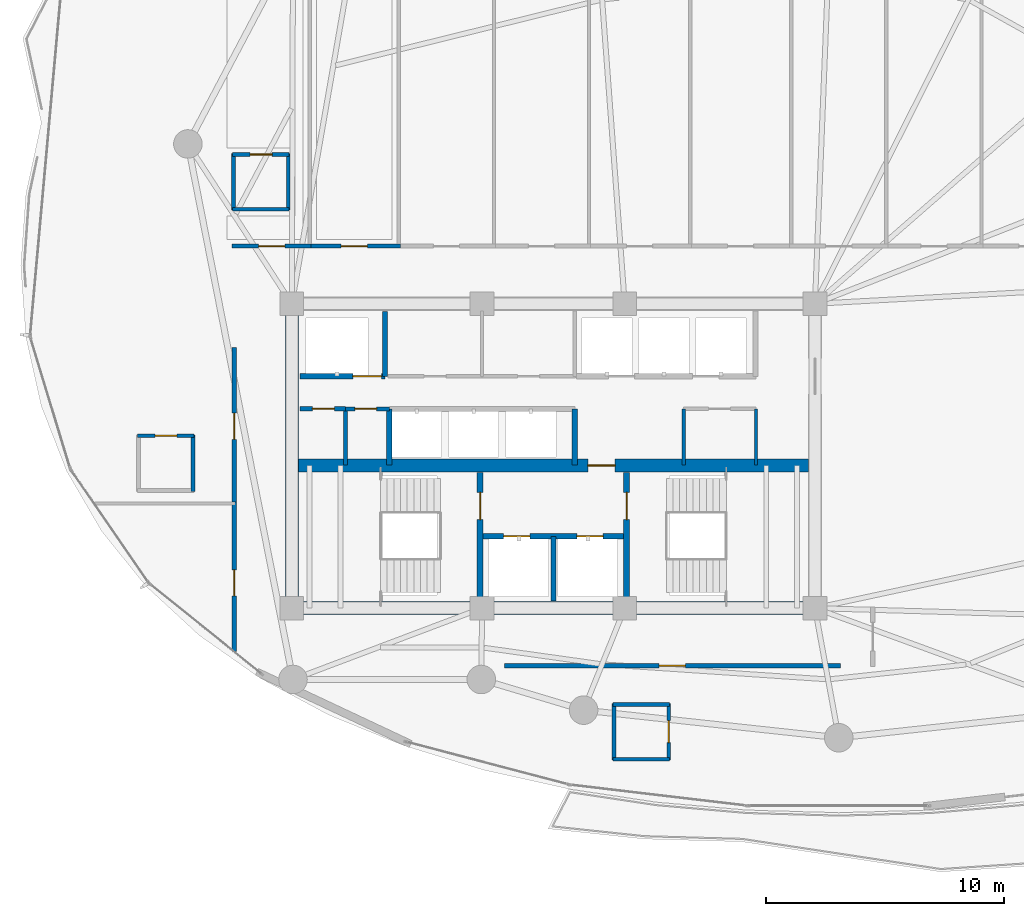
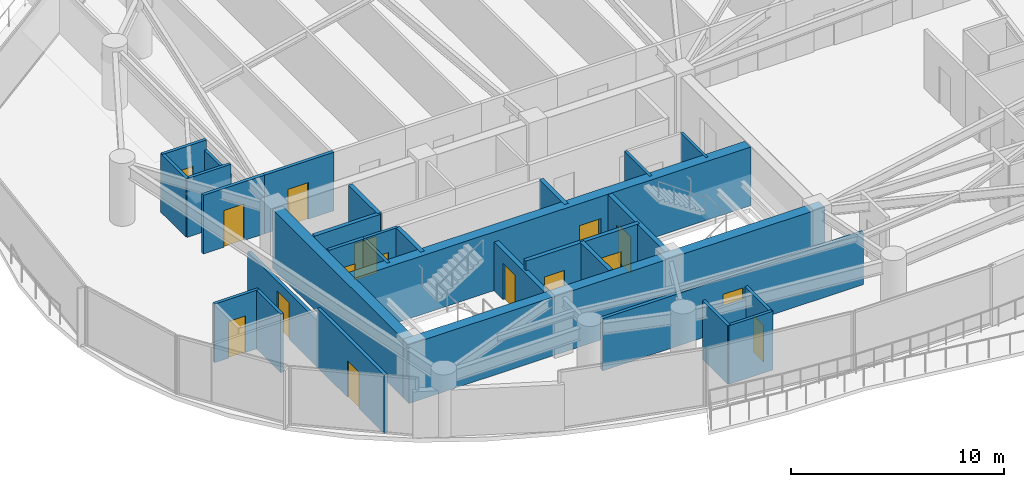
# One storey, part 26 of 33: 31 walls, 16 doors, 16 openings.
"""IFC4 building model written with IfcOpenShell, lengths in metres."""

from ifc_helpers import new_model, si_unit, direction, frame, frame_2d, origin, place, context, subcontext, project, spatial, rectangle, extrude, material, layer, layer_set, type_object, element, fill, save


model = new_model("IFC4")

# Units and contexts
model_context = context("Model", 3, precision=1e-05, world=origin(), true_north=direction((0.0, 1.0)))
body_context = subcontext(model_context, "Body", "Model", "MODEL_VIEW")
ifc_project = project(units=[si_unit("LENGTHUNIT", "METRE"), si_unit("AREAUNIT", "SQUARE_METRE"), si_unit("VOLUMEUNIT", "CUBIC_METRE"), si_unit("PLANEANGLEUNIT", "RADIAN"), si_unit("MASSUNIT", "GRAM", prefix="KILO")], contexts=[model_context])

# Site, building, storey
site_placement = place(None, origin())
site = spatial("IfcSite", under=ifc_project, at=site_placement, CompositionType="ELEMENT")
building_placement = place(site_placement, origin())
building = spatial("IfcBuilding", under=site, at=building_placement, Name="Kazevale Care Tower and Concert Hall", CompositionType="ELEMENT")
storey_placement = place(building_placement, frame((0.0, 0.0, 145.800048828125)))
storey = spatial("IfcBuildingStorey", under=building, at=storey_placement, Name="L38", CompositionType="ELEMENT", Elevation=145.800048828125)

# Walls
ifc_material_1 = material(Name="Acoustic Gypsum on Steel Stud", Category="steel")
ifc_layer_1 = layer(ifc_material_1, 0.139892578125)
ifc_layer_set_1 = layer_set([ifc_layer_1], Name="Acoustic Gypsum on Steel Stud")
wall_type_1 = type_object("IfcWallType", Name="Acoustic Care & Suite Partition 140", PredefinedType="PARTITIONING", material=ifc_layer_set_1)
for number, where, z_axis, x_axis, name in (
    (1, (38.47998046875, 29.6201171875, 0.0), (0.0, 0.0, 1.0), (0.0, 1.0, 0.0), "wall:L38:kb_ew"),
    (2, (41.52001953125, 29.6201171875, 0.0), (0.0, 0.0, 1.0), (0.0, 1.0, 0.0), "wall:L38:kb_ee"),
):
    element("IfcWall", number, at=place(storey_placement, frame(where, z_axis=z_axis, x_axis=x_axis)), inside=storey, type_object=wall_type_1, Name=name, PredefinedType="PARTITIONING", context=body_context, shape_type="SweptSolid", body=[
        extrude(rectangle(XDim=2.35986328125, YDim=0.139892578125, at=frame_2d((1.179931640625, 0.0))), origin(), (0.0, 0.0, 1.0), 3.35986328125),
    ])
ifc_material_2 = material(Name="Concrete C60", Category="concrete")
ifc_layer_2 = layer(ifc_material_2, 0.550048828125)
ifc_layer_set_2 = layer_set([ifc_layer_2], Name="Concrete C60")
wall_type_2 = type_object("IfcWallType", Name="Core Shear Wall 550 C60", PredefinedType="SHEAR", material=ifc_layer_set_2)
wall_1_placement = place(storey_placement, frame((21.72509765625, 23.60009765625, 0.0), z_axis=(0.0, 0.0, 1.0), x_axis=(1.0, 0.0, 0.0)))
element("IfcWall", 3, at=wall_1_placement, inside=storey, type_object=wall_type_2, Name="wall:L38:core:S", PredefinedType="SHEAR", context=body_context, shape_type="SweptSolid", body=[
    extrude(rectangle(XDim=22.5498046875, YDim=0.550048828125, at=frame_2d((11.27490234375, 0.0))), origin(), (0.0, 0.0, 1.0), 3.35986328125),
])
wall_2_placement = place(storey_placement, frame((22.0, 23.875, 0.0), z_axis=(0.0, 0.0, 1.0), x_axis=(0.0, 1.0, 0.0)))
element("IfcWall", 4, at=wall_2_placement, inside=storey, type_object=wall_type_2, Name="wall:L38:core:W", PredefinedType="SHEAR", context=body_context, shape_type="SweptSolid", body=[
    extrude(rectangle(XDim=12.25, YDim=0.550048828125, at=frame_2d((6.125, 0.0))), origin(), (0.0, 0.0, 1.0), 3.35986328125),
])

# Wall, opening, door
wall_3_placement = place(storey_placement, frame((22.27490234375, 29.60009765625, 0.0), z_axis=(0.0, 0.0, 1.0), x_axis=(1.0, 0.0, 0.0)))
wall_3 = element("IfcWall", 5, at=wall_3_placement, inside=storey, type_object=wall_type_2, Name="wall:L38:core:M", PredefinedType="SHEAR", context=body_context, shape_type="SweptSolid", body=[
    extrude(rectangle(XDim=21.4501953125, YDim=0.550048828125, at=frame_2d((10.72509765625, 0.0))), origin(), (0.0, 0.0, 1.0), 3.35986328125),
])
opening_1_placement = place(wall_3_placement, frame((12.175048828125, 0.0, 0.0)))
opening_1 = element("IfcOpeningElement", 6, at=opening_1_placement, cuts=wall_3, Name="Opening FD-90", PredefinedType="OPENING", context=body_context, shape_type="SweptSolid", body=[
    extrude(rectangle(XDim=1.14990234375, YDim=2.10009765625, at=frame_2d((0.574951171875, 1.050048828125))), frame((0.0, 0.284912109375, 0.0), z_axis=(0.0, -1.0, 0.0), x_axis=(1.0, 0.0, 0.0)), (0.0, 0.0, 1.0), 0.570068359375),
])
ifc_material_3 = material(Name="Steel ASTM A572 Gr 50", Category="steel")
door_type_1 = type_object("IfcDoorType", Name="Pressurized Stair & Lobby Fire Door 1150x2100", OperationType="NOTDEFINED", PredefinedType="DOOR", material=ifc_material_3)
door_1_placement = place(opening_1_placement, origin())
door_1 = element("IfcDoor", 7, at=door_1_placement, inside=storey, type_object=door_type_1, Name="door:L38:ff_to_pax", OperationType="SINGLE_SWING_LEFT", OverallHeight=2.10009765625, OverallWidth=1.14990234375, PredefinedType="DOOR", context=body_context, shape_type="SweptSolid", body=[
    extrude(rectangle(XDim=1.14990234375, YDim=2.10009765625, at=frame_2d((0.574951171875, 1.050048828125))), frame((0.0, 0.02490234375, 0.0), z_axis=(0.0, -1.0, 0.0), x_axis=(1.0, 0.0, 0.0)), (0.0, 0.0, 1.0), 0.050048828125),
])
fill(opening_1, door_1)

# Wall, openings, doors
ifc_material_4 = material(Name="Concrete C40", Category="concrete")
ifc_layer_3 = layer(ifc_material_4, 0.219970703125)
ifc_layer_set_3 = layer_set([ifc_layer_3], Name="Concrete C40")
wall_type_3 = type_object("IfcWallType", Name="Elevator Hoistway Shaft Wall 220", PredefinedType="SOLIDWALL", material=ifc_layer_set_3)
wall_4_placement = place(storey_placement, frame((29.919921875, 26.6201171875, 0.0), z_axis=(0.0, 0.0, 1.0), x_axis=(1.0, 0.0, 0.0)))
wall_4 = element("IfcWall", 8, at=wall_4_placement, inside=storey, type_object=wall_type_3, Name="wall:L38:c_ffl_n", PredefinedType="SOLIDWALL", context=body_context, shape_type="SweptSolid", body=[
    extrude(rectangle(XDim=6.16015625, YDim=0.219970703125, at=frame_2d((3.080078125, 0.0))), origin(), (0.0, 0.0, 1.0), 3.35986328125),
])
opening_2_placement = place(wall_4_placement, frame((0.989990234375, 0.0, 0.0)))
opening_2 = element("IfcOpeningElement", 9, at=opening_2_placement, cuts=wall_4, Name="Opening LD-FF", PredefinedType="OPENING", context=body_context, shape_type="SweptSolid", body=[
    extrude(rectangle(XDim=1.10009765625, YDim=2.10009765625, at=frame_2d((0.550048828125, 1.050048828125))), frame((0.0, 0.119873046875, 0.0), z_axis=(0.0, -1.0, 0.0), x_axis=(1.0, 0.0, 0.0)), (0.0, 0.0, 1.0), 0.239990234375),
])
opening_3_placement = place(wall_4_placement, frame((4.070068359375, 0.0, 0.0)))
opening_3 = element("IfcOpeningElement", 10, at=opening_3_placement, cuts=wall_4, Name="Opening LD-FF", PredefinedType="OPENING", context=body_context, shape_type="SweptSolid", body=[
    extrude(rectangle(XDim=1.10009765625, YDim=2.10009765625, at=frame_2d((0.550048828125, 1.050048828125))), frame((0.0, 0.119873046875, 0.0), z_axis=(0.0, -1.0, 0.0), x_axis=(1.0, 0.0, 0.0)), (0.0, 0.0, 1.0), 0.239990234375),
])
ifc_material_5 = material(Name="Stainless Steel 316", Category="steel")
door_type_2 = type_object("IfcDoorType", Name="Emergency Lift Sliding Landing Door 1100x2100", OperationType="NOTDEFINED", PredefinedType="DOOR", material=ifc_material_5)
door_2_placement = place(opening_2_placement, origin())
door_2 = element("IfcDoor", 11, at=door_2_placement, inside=storey, type_object=door_type_2, Name="door:L38:ld_ffl1", OperationType="SLIDING_TO_LEFT", OverallHeight=2.10009765625, OverallWidth=1.10009765625, PredefinedType="DOOR", context=body_context, shape_type="SweptSolid", body=[
    extrude(rectangle(XDim=1.10009765625, YDim=2.10009765625, at=frame_2d((0.550048828125, 1.050048828125))), frame((0.0, 0.02490234375, 0.0), z_axis=(0.0, -1.0, 0.0), x_axis=(1.0, 0.0, 0.0)), (0.0, 0.0, 1.0), 0.050048828125),
])
fill(opening_2, door_2)
door_3_placement = place(opening_3_placement, origin())
door_3 = element("IfcDoor", 12, at=door_3_placement, inside=storey, type_object=door_type_2, Name="door:L38:ld_ffl2", OperationType="SLIDING_TO_RIGHT", OverallHeight=2.10009765625, OverallWidth=1.10009765625, PredefinedType="DOOR", context=body_context, shape_type="SweptSolid", body=[
    extrude(rectangle(XDim=1.10009765625, YDim=2.10009765625, at=frame_2d((0.550048828125, 1.050048828125))), frame((0.0, 0.02490234375, 0.0), z_axis=(0.0, -1.0, 0.0), x_axis=(1.0, 0.0, 0.0)), (0.0, 0.0, 1.0), 0.050048828125),
])
fill(opening_3, door_3)

# Walls
wall_5_placement = place(storey_placement, frame((33.0, 23.89990234375, 0.0), z_axis=(0.0, 0.0, 1.0), x_axis=(0.0, 1.0, 0.0)))
element("IfcWall", 13, at=wall_5_placement, inside=storey, type_object=wall_type_3, Name="wall:L38:c_ffl_m", PredefinedType="SOLIDWALL", context=body_context, shape_type="SweptSolid", body=[
    extrude(rectangle(XDim=2.72021484375, YDim=0.219970703125, at=frame_2d((1.360107421875, 0.0))), origin(), (0.0, 0.0, 1.0), 3.35986328125),
])
wall_6_placement = place(storey_placement, frame((25.919921875, 33.35009765625, 0.0), z_axis=(0.0, 0.0, 1.0), x_axis=(0.0, 1.0, 0.0)))
element("IfcWall", 14, at=wall_6_placement, inside=storey, type_object=wall_type_3, Name="wall:L38:c_svl_e", PredefinedType="SOLIDWALL", context=body_context, shape_type="SweptSolid", body=[
    extrude(rectangle(XDim=2.72998046875, YDim=0.219970703125, at=frame_2d((1.364990234375, 0.0))), origin(), (0.0, 0.0, 1.0), 3.35986328125),
])

# Wall, opening, door
wall_7_placement = place(storey_placement, frame((22.35009765625, 33.35009765625, 0.0), z_axis=(0.0, 0.0, 1.0), x_axis=(1.0, 0.0, 0.0)))
wall_7 = element("IfcWall", 15, at=wall_7_placement, inside=storey, type_object=wall_type_3, Name="wall:L38:c_svl_s", PredefinedType="SOLIDWALL", context=body_context, shape_type="SweptSolid", body=[
    extrude(rectangle(XDim=3.56982421875, YDim=0.219970703125, at=frame_2d((1.784912109375, 0.0))), origin(), (0.0, 0.0, 1.0), 3.35986328125),
])
opening_4_placement = place(wall_7_placement, frame((2.212890625, 0.0, 0.0)))
opening_4 = element("IfcOpeningElement", 16, at=opening_4_placement, cuts=wall_7, Name="Opening LD-SV", PredefinedType="OPENING", context=body_context, shape_type="SweptSolid", body=[
    extrude(rectangle(XDim=1.199951171875, YDim=2.10009765625, at=frame_2d((0.60009765625, 1.050048828125))), frame((0.0, 0.119873046875, 0.0), z_axis=(0.0, -1.0, 0.0), x_axis=(1.0, 0.0, 0.0)), (0.0, 0.0, 1.0), 0.239990234375),
])
door_type_3 = type_object("IfcDoorType", Name="Service Lift Sliding Landing Door 1200x2100", OperationType="NOTDEFINED", PredefinedType="DOOR", material=ifc_material_5)
door_4_placement = place(opening_4_placement, origin())
door_4 = element("IfcDoor", 17, at=door_4_placement, inside=storey, type_object=door_type_3, Name="door:L38:ld_svl1", OperationType="SLIDING_TO_LEFT", OverallHeight=2.10009765625, OverallWidth=1.199951171875, PredefinedType="DOOR", context=body_context, shape_type="SweptSolid", body=[
    extrude(rectangle(XDim=1.199951171875, YDim=2.10009765625, at=frame_2d((0.60009765625, 1.050048828125))), frame((0.0, 0.02490234375, 0.0), z_axis=(0.0, -1.0, 0.0), x_axis=(1.0, 0.0, 0.0)), (0.0, 0.0, 1.0), 0.050048828125),
])
fill(opening_4, door_4)

# Walls
for number, where, z_axis, x_axis, name in (
    (18, (26.10009765625, 29.6201171875, 0.0), (0.0, 0.0, 1.0), (0.0, 1.0, 0.0), "wall:L38:c_ph_w"),
    (19, (33.89990234375, 29.6201171875, 0.0), (0.0, 0.0, 1.0), (0.0, 1.0, 0.0), "wall:L38:c_ph_e"),
):
    element("IfcWall", number, at=place(storey_placement, frame(where, z_axis=z_axis, x_axis=x_axis)), inside=storey, type_object=wall_type_3, Name=name, PredefinedType="SOLIDWALL", context=body_context, shape_type="SweptSolid", body=[
        extrude(rectangle(XDim=2.35986328125, YDim=0.219970703125, at=frame_2d((1.179931640625, 0.0))), origin(), (0.0, 0.0, 1.0), 3.35986328125),
    ])

# Wall, opening, door
ifc_material_6 = material(Name="Concrete C40 and Acoustic Gypsum", Category="concrete")
ifc_layer_4 = layer(ifc_material_6, 0.179931640625)
ifc_layer_set_4 = layer_set([ifc_layer_4], Name="Concrete C40 and Acoustic Gypsum")
wall_type_4 = type_object("IfcWallType", Name="Fire-Rated Corridor & Party Wall 180", PredefinedType="PARTITIONING", material=ifc_layer_set_4)
wall_8_placement = place(storey_placement, frame((22.35009765625, 31.97998046875, 0.0), z_axis=(0.0, 0.0, 1.0), x_axis=(1.0, 0.0, 0.0)))
wall_8 = element("IfcWall", 20, at=wall_8_placement, inside=storey, type_object=wall_type_4, Name="wall:L38:kb_wn0", PredefinedType="PARTITIONING", context=body_context, shape_type="SweptSolid", body=[
    extrude(rectangle(XDim=1.909912109375, YDim=0.179931640625, at=frame_2d((0.955078125, 0.0))), origin(), (0.0, 0.0, 1.0), 3.35986328125),
])
opening_5_placement = place(wall_8_placement, frame((0.514892578125, 0.0, 0.0)))
opening_5 = element("IfcOpeningElement", 21, at=opening_5_placement, cuts=wall_8, Name="Opening ID-900", PredefinedType="OPENING", context=body_context, shape_type="SweptSolid", body=[
    extrude(rectangle(XDim=0.919921875, YDim=2.10009765625, at=frame_2d((0.4599609375, 1.050048828125))), frame((0.0, 0.099853515625, 0.0), z_axis=(0.0, -1.0, 0.0), x_axis=(1.0, 0.0, 0.0)), (0.0, 0.0, 1.0), 0.199951171875),
])
ifc_material_7 = material(Name="Oak Timber Fire Leaf", Category="wood")
door_type_4 = type_object("IfcDoorType", Name="Bathroom & Service Door 920x2100", OperationType="NOTDEFINED", PredefinedType="DOOR", material=ifc_material_7)
door_5_placement = place(opening_5_placement, origin())
door_5 = element("IfcDoor", 22, at=door_5_placement, inside=storey, type_object=door_type_4, Name="door:L38:d_kbw1", OperationType="SINGLE_SWING_LEFT", OverallHeight=2.10009765625, OverallWidth=0.919921875, PredefinedType="DOOR", context=body_context, shape_type="SweptSolid", body=[
    extrude(rectangle(XDim=0.919921875, YDim=2.10009765625, at=frame_2d((0.4599609375, 1.050048828125))), frame((0.0, 0.02490234375, 0.0), z_axis=(0.0, -1.0, 0.0), x_axis=(1.0, 0.0, 0.0)), (0.0, 0.0, 1.0), 0.050048828125),
])
fill(opening_5, door_5)

wall_9_placement = place(storey_placement, frame((19.4951171875, 38.824951171875, 0.0), z_axis=(0.0, 0.0, 1.0), x_axis=(1.0, 0.0, 0.0)))
wall_9 = element("IfcWall", 23, at=wall_9_placement, inside=storey, type_object=wall_type_4, Name="wall:L38:auto_001", PredefinedType="PARTITIONING", context=body_context, shape_type="SweptSolid", body=[
    extrude(rectangle(XDim=3.31982421875, YDim=0.179931640625, at=frame_2d((1.659912109375, 0.0))), origin(), (0.0, 0.0, 1.0), 3.35986328125),
])
opening_6_placement = place(wall_9_placement, frame((1.110107421875, 0.0, 0.0)))
opening_6 = element("IfcOpeningElement", 24, at=opening_6_placement, cuts=wall_9, Name="Opening ID-1100", PredefinedType="OPENING", context=body_context, shape_type="SweptSolid", body=[
    extrude(rectangle(XDim=1.10009765625, YDim=2.10009765625, at=frame_2d((0.550048828125, 1.050048828125))), frame((0.0, 0.099853515625, 0.0), z_axis=(0.0, -1.0, 0.0), x_axis=(1.0, 0.0, 0.0)), (0.0, 0.0, 1.0), 0.199951171875),
])
door_type_5 = type_object("IfcDoorType", Name="Care Bedroom Accessible Door 1100x2100", OperationType="NOTDEFINED", PredefinedType="DOOR", material=ifc_material_7)
door_6_placement = place(opening_6_placement, origin())
door_6 = element("IfcDoor", 25, at=door_6_placement, inside=storey, type_object=door_type_5, Name="door:L38:ad_001", OperationType="SINGLE_SWING_LEFT", OverallHeight=2.10009765625, OverallWidth=1.10009765625, PredefinedType="DOOR", context=body_context, shape_type="SweptSolid", body=[
    extrude(rectangle(XDim=1.10009765625, YDim=2.10009765625, at=frame_2d((0.550048828125, 1.050048828125))), frame((0.0, 0.02490234375, 0.0), z_axis=(0.0, -1.0, 0.0), x_axis=(1.0, 0.0, 0.0)), (0.0, 0.0, 1.0), 0.050048828125),
])
fill(opening_6, door_6)

wall_10_placement = place(storey_placement, frame((22.68505859375, 38.824951171875, 0.0), z_axis=(0.0, 0.0, 1.0), x_axis=(1.0, 0.0, 0.0)))
wall_10 = element("IfcWall", 26, at=wall_10_placement, inside=storey, type_object=wall_type_4, Name="wall:L38:auto_002", PredefinedType="PARTITIONING", context=body_context, shape_type="SweptSolid", body=[
    extrude(rectangle(XDim=3.8798828125, YDim=0.179931640625, at=frame_2d((1.93994140625, 0.0))), origin(), (0.0, 0.0, 1.0), 3.35986328125),
])
opening_7_placement = place(wall_10_placement, frame((1.389892578125, 0.0, 0.0)))
opening_7 = element("IfcOpeningElement", 27, at=opening_7_placement, cuts=wall_10, Name="Opening ID-1100", PredefinedType="OPENING", context=body_context, shape_type="SweptSolid", body=[
    extrude(rectangle(XDim=1.10009765625, YDim=2.10009765625, at=frame_2d((0.550048828125, 1.050048828125))), frame((0.0, 0.099853515625, 0.0), z_axis=(0.0, -1.0, 0.0), x_axis=(1.0, 0.0, 0.0)), (0.0, 0.0, 1.0), 0.199951171875),
])
door_7_placement = place(opening_7_placement, origin())
door_7 = element("IfcDoor", 28, at=door_7_placement, inside=storey, type_object=door_type_5, Name="door:L38:ad_002", OperationType="SINGLE_SWING_LEFT", OverallHeight=2.10009765625, OverallWidth=1.10009765625, PredefinedType="DOOR", context=body_context, shape_type="SweptSolid", body=[
    extrude(rectangle(XDim=1.10009765625, YDim=2.10009765625, at=frame_2d((0.550048828125, 1.050048828125))), frame((0.0, 0.02490234375, 0.0), z_axis=(0.0, -1.0, 0.0), x_axis=(1.0, 0.0, 0.0)), (0.0, 0.0, 1.0), 0.050048828125),
])
fill(opening_7, door_7)

wall_11_placement = place(storey_placement, frame((45.06494140625, 21.175048828125, 0.0), z_axis=(0.0, 0.0, 1.0), x_axis=(-1.0, 0.0, 0.0)))
wall_11 = element("IfcWall", 29, at=wall_11_placement, inside=storey, type_object=wall_type_4, Name="wall:L38:auto_019", PredefinedType="PARTITIONING", context=body_context, shape_type="SweptSolid", body=[
    extrude(rectangle(XDim=14.1298828125, YDim=0.179931640625, at=frame_2d((7.06494140625, 0.0))), origin(), (0.0, 0.0, 1.0), 2.995849609375),
])
opening_8_placement = place(wall_11_placement, frame((6.514892578125, 0.0, 0.0)))
opening_8 = element("IfcOpeningElement", 30, at=opening_8_placement, cuts=wall_11, Name="Opening ID-1100", PredefinedType="OPENING", context=body_context, shape_type="SweptSolid", body=[
    extrude(rectangle(XDim=1.10009765625, YDim=2.10009765625, at=frame_2d((0.550048828125, 1.050048828125))), frame((0.0, 0.099853515625, 0.0), z_axis=(0.0, -1.0, 0.0), x_axis=(1.0, 0.0, 0.0)), (0.0, 0.0, 1.0), 0.199951171875),
])
door_8_placement = place(opening_8_placement, origin())
door_8 = element("IfcDoor", 31, at=door_8_placement, inside=storey, type_object=door_type_5, Name="door:L38:ad_019", OperationType="SINGLE_SWING_LEFT", OverallHeight=2.10009765625, OverallWidth=1.10009765625, PredefinedType="DOOR", context=body_context, shape_type="SweptSolid", body=[
    extrude(rectangle(XDim=1.10009765625, YDim=2.10009765625, at=frame_2d((0.550048828125, 1.050048828125))), frame((0.0, 0.02490234375, 0.0), z_axis=(0.0, -1.0, 0.0), x_axis=(1.0, 0.0, 0.0)), (0.0, 0.0, 1.0), 0.050048828125),
])
fill(opening_8, door_8)

wall_12_placement = place(storey_placement, frame((19.574951171875, 21.774658203125, 0.0), z_axis=(0.0, 0.0, 1.0), x_axis=(0.0, 1.0, 0.0)))
wall_12 = element("IfcWall", 32, at=wall_12_placement, inside=storey, type_object=wall_type_4, Name="wall:L38:auto_020", PredefinedType="PARTITIONING", context=body_context, shape_type="SweptSolid", body=[
    extrude(rectangle(XDim=6.290283203125, YDim=0.179931640625, at=frame_2d((3.14501953125, 0.0))), origin(), (0.0, 0.0, 1.0), 3.35986328125),
])
opening_9_placement = place(wall_12_placement, frame((2.337890625, 0.0, 0.0)))
opening_9 = element("IfcOpeningElement", 33, at=opening_9_placement, cuts=wall_12, Name="Opening ID-1100", PredefinedType="OPENING", context=body_context, shape_type="SweptSolid", body=[
    extrude(rectangle(XDim=1.10009765625, YDim=2.10009765625, at=frame_2d((0.550048828125, 1.050048828125))), frame((0.0, 0.099853515625, 0.0), z_axis=(0.0, -1.0, 0.0), x_axis=(1.0, 0.0, 0.0)), (0.0, 0.0, 1.0), 0.199951171875),
])
door_9_placement = place(opening_9_placement, origin())
door_9 = element("IfcDoor", 34, at=door_9_placement, inside=storey, type_object=door_type_5, Name="door:L38:ad_020", OperationType="SINGLE_SWING_LEFT", OverallHeight=2.10009765625, OverallWidth=1.10009765625, PredefinedType="DOOR", context=body_context, shape_type="SweptSolid", body=[
    extrude(rectangle(XDim=1.10009765625, YDim=2.10009765625, at=frame_2d((0.550048828125, 1.050048828125))), frame((0.0, 0.02490234375, 0.0), z_axis=(0.0, -1.0, 0.0), x_axis=(1.0, 0.0, 0.0)), (0.0, 0.0, 1.0), 0.050048828125),
])
fill(opening_9, door_9)

wall_13_placement = place(storey_placement, frame((19.574951171875, 27.93505859375, 0.0), z_axis=(0.0, 0.0, 1.0), x_axis=(0.0, 1.0, 0.0)))
wall_13 = element("IfcWall", 35, at=wall_13_placement, inside=storey, type_object=wall_type_4, Name="wall:L38:auto_021", PredefinedType="PARTITIONING", context=body_context, shape_type="SweptSolid", body=[
    extrude(rectangle(XDim=6.6298828125, YDim=0.179931640625, at=frame_2d((3.31494140625, 0.0))), origin(), (0.0, 0.0, 1.0), 2.656982421875),
])
opening_10_placement = place(wall_13_placement, frame((2.764892578125, 0.0, 0.0)))
opening_10 = element("IfcOpeningElement", 36, at=opening_10_placement, cuts=wall_13, Name="Opening ID-1100", PredefinedType="OPENING", context=body_context, shape_type="SweptSolid", body=[
    extrude(rectangle(XDim=1.10009765625, YDim=2.10009765625, at=frame_2d((0.550048828125, 1.050048828125))), frame((0.0, 0.099853515625, 0.0), z_axis=(0.0, -1.0, 0.0), x_axis=(1.0, 0.0, 0.0)), (0.0, 0.0, 1.0), 0.199951171875),
])
door_10_placement = place(opening_10_placement, origin())
door_10 = element("IfcDoor", 37, at=door_10_placement, inside=storey, type_object=door_type_5, Name="door:L38:ad_021", OperationType="SINGLE_SWING_LEFT", OverallHeight=2.10009765625, OverallWidth=1.10009765625, PredefinedType="DOOR", context=body_context, shape_type="SweptSolid", body=[
    extrude(rectangle(XDim=1.10009765625, YDim=2.10009765625, at=frame_2d((0.550048828125, 1.050048828125))), frame((0.0, 0.02490234375, 0.0), z_axis=(0.0, -1.0, 0.0), x_axis=(1.0, 0.0, 0.0)), (0.0, 0.0, 1.0), 0.050048828125),
])
fill(opening_10, door_10)

# Wall
ifc_layer_5 = layer(ifc_material_1, 0.159912109375)
ifc_layer_set_5 = layer_set([ifc_layer_5], Name="Acoustic Gypsum on Steel Stud")
wall_type_5 = type_object("IfcWallType", Name="Moisture-Resistant Bathroom Plumbing Wall 160", PredefinedType="PLUMBINGWALL", material=ifc_layer_set_5)
wall_14_placement = place(storey_placement, frame((24.260009765625, 29.6201171875, 0.0), z_axis=(0.0, 0.0, 1.0), x_axis=(0.0, 1.0, 0.0)))
element("IfcWall", 38, at=wall_14_placement, inside=storey, type_object=wall_type_5, Name="wall:L38:kb_we1", PredefinedType="PLUMBINGWALL", context=body_context, shape_type="SweptSolid", body=[
    extrude(rectangle(XDim=2.35986328125, YDim=0.159912109375, at=frame_2d((1.179931640625, 0.0))), origin(), (0.0, 0.0, 1.0), 3.35986328125),
])

# Wall, opening, door
wall_15_placement = place(storey_placement, frame((24.260009765625, 31.97998046875, 0.0), z_axis=(0.0, 0.0, 1.0), x_axis=(1.0, 0.0, 0.0)))
wall_15 = element("IfcWall", 39, at=wall_15_placement, inside=storey, type_object=wall_type_5, Name="wall:L38:kb_wn1", PredefinedType="PLUMBINGWALL", context=body_context, shape_type="SweptSolid", body=[
    extrude(rectangle(XDim=1.840087890625, YDim=0.159912109375, at=frame_2d((0.919921875, 0.0))), origin(), (0.0, 0.0, 1.0), 3.35986328125),
])
opening_11_placement = place(wall_15_placement, frame((0.387939453125, 0.0, 0.0)))
opening_11 = element("IfcOpeningElement", 40, at=opening_11_placement, cuts=wall_15, Name="Opening ID-900", PredefinedType="OPENING", context=body_context, shape_type="SweptSolid", body=[
    extrude(rectangle(XDim=0.919921875, YDim=2.10009765625, at=frame_2d((0.4599609375, 1.050048828125))), frame((0.0, 0.08984375, 0.0), z_axis=(0.0, -1.0, 0.0), x_axis=(1.0, 0.0, 0.0)), (0.0, 0.0, 1.0), 0.179931640625),
])
door_11_placement = place(opening_11_placement, origin())
door_11 = element("IfcDoor", 41, at=door_11_placement, inside=storey, type_object=door_type_4, Name="door:L38:d_kbw2", OperationType="SINGLE_SWING_RIGHT", OverallHeight=2.10009765625, OverallWidth=0.919921875, PredefinedType="DOOR", context=body_context, shape_type="SweptSolid", body=[
    extrude(rectangle(XDim=0.919921875, YDim=2.10009765625, at=frame_2d((0.4599609375, 1.050048828125))), frame((0.0, 0.02490234375, 0.0), z_axis=(0.0, -1.0, 0.0), x_axis=(1.0, 0.0, 0.0)), (0.0, 0.0, 1.0), 0.050048828125),
])
fill(opening_11, door_11)

# Wall
wall_16_placement = place(storey_placement, frame((19.510009765625, 40.375, 0.0), z_axis=(0.0, 0.0, 1.0), x_axis=(1.0, 0.0, 0.0)))
element("IfcWall", 42, at=wall_16_placement, inside=storey, type_object=wall_type_5, Name="wall:L38:nb2a_ens_ws", PredefinedType="PLUMBINGWALL", context=body_context, shape_type="SweptSolid", body=[
    extrude(rectangle(XDim=2.3798828125, YDim=0.159912109375, at=frame_2d((1.18994140625, 0.0))), origin(), (0.0, 0.0, 1.0), 3.35986328125),
])

# Wall, opening, door
wall_17_placement = place(storey_placement, frame((19.510009765625, 42.675048828125, 0.0), z_axis=(0.0, 0.0, 1.0), x_axis=(1.0, 0.0, 0.0)))
wall_17 = element("IfcWall", 43, at=wall_17_placement, inside=storey, type_object=wall_type_5, Name="wall:L38:nb2a_ens_wn", PredefinedType="PLUMBINGWALL", context=body_context, shape_type="SweptSolid", body=[
    extrude(rectangle(XDim=2.3798828125, YDim=0.159912109375, at=frame_2d((1.18994140625, 0.0))), origin(), (0.0, 0.0, 1.0), 3.35986328125),
])
opening_12_placement = place(wall_17_placement, frame((0.739990234375, 0.0, 0.0)))
opening_12 = element("IfcOpeningElement", 44, at=opening_12_placement, cuts=wall_17, Name="Opening ID-900", PredefinedType="OPENING", context=body_context, shape_type="SweptSolid", body=[
    extrude(rectangle(XDim=0.919921875, YDim=2.10009765625, at=frame_2d((0.4599609375, 1.050048828125))), frame((0.0, 0.08984375, 0.0), z_axis=(0.0, -1.0, 0.0), x_axis=(1.0, 0.0, 0.0)), (0.0, 0.0, 1.0), 0.179931640625),
])
door_12_placement = place(opening_12_placement, origin())
door_12 = element("IfcDoor", 45, at=door_12_placement, inside=storey, type_object=door_type_4, Name="door:L38:nb2a_ens_d", OperationType="SINGLE_SWING_LEFT", OverallHeight=2.10009765625, OverallWidth=0.919921875, PredefinedType="DOOR", context=body_context, shape_type="SweptSolid", body=[
    extrude(rectangle(XDim=0.919921875, YDim=2.10009765625, at=frame_2d((0.4599609375, 1.050048828125))), frame((0.0, 0.02490234375, 0.0), z_axis=(0.0, -1.0, 0.0), x_axis=(1.0, 0.0, 0.0)), (0.0, 0.0, 1.0), 0.050048828125),
])
fill(opening_12, door_12)

# Walls
wall_18_placement = place(storey_placement, frame((19.550048828125, 40.3349609375, 0.0), z_axis=(0.0, 0.0, 1.0), x_axis=(0.0, 1.0, 0.0)))
element("IfcWall", 46, at=wall_18_placement, inside=storey, type_object=wall_type_5, Name="wall:L38:nb2a_ens_ww", PredefinedType="PLUMBINGWALL", context=body_context, shape_type="SweptSolid", body=[
    extrude(rectangle(XDim=2.380126953125, YDim=0.159912109375, at=frame_2d((1.18994140625, 0.0))), origin(), (0.0, 0.0, 1.0), 3.35986328125),
])
wall_19_placement = place(storey_placement, frame((21.85009765625, 40.3349609375, 0.0), z_axis=(0.0, 0.0, 1.0), x_axis=(0.0, 1.0, 0.0)))
element("IfcWall", 47, at=wall_19_placement, inside=storey, type_object=wall_type_5, Name="wall:L38:nb2a_ens_we", PredefinedType="PLUMBINGWALL", context=body_context, shape_type="SweptSolid", body=[
    extrude(rectangle(XDim=2.380126953125, YDim=0.159912109375, at=frame_2d((1.18994140625, 0.0))), origin(), (0.0, 0.0, 1.0), 2.805908203125),
])
wall_20_placement = place(storey_placement, frame((35.510009765625, 17.24609375, 0.0), z_axis=(0.0, 0.0, 1.0), x_axis=(1.0, 0.0, 0.0)))
element("IfcWall", 48, at=wall_20_placement, inside=storey, type_object=wall_type_5, Name="wall:L38:sb2_ens_ws", PredefinedType="PLUMBINGWALL", context=body_context, shape_type="SweptSolid", body=[
    extrude(rectangle(XDim=2.3798828125, YDim=0.159912109375, at=frame_2d((1.18994140625, 0.0))), origin(), (0.0, 0.0, 1.0), 3.35986328125),
])
wall_21_placement = place(storey_placement, frame((35.510009765625, 19.5458984375, 0.0), z_axis=(0.0, 0.0, 1.0), x_axis=(1.0, 0.0, 0.0)))
element("IfcWall", 49, at=wall_21_placement, inside=storey, type_object=wall_type_5, Name="wall:L38:sb2_ens_wn", PredefinedType="PLUMBINGWALL", context=body_context, shape_type="SweptSolid", body=[
    extrude(rectangle(XDim=2.3798828125, YDim=0.159912109375, at=frame_2d((1.18994140625, 0.0))), origin(), (0.0, 0.0, 1.0), 2.656982421875),
])
wall_22_placement = place(storey_placement, frame((35.550048828125, 17.2060546875, 0.0), z_axis=(0.0, 0.0, 1.0), x_axis=(0.0, 1.0, 0.0)))
element("IfcWall", 50, at=wall_22_placement, inside=storey, type_object=wall_type_5, Name="wall:L38:sb2_ens_ww", PredefinedType="PLUMBINGWALL", context=body_context, shape_type="SweptSolid", body=[
    extrude(rectangle(XDim=2.3798828125, YDim=0.159912109375, at=frame_2d((1.18994140625, 0.0))), origin(), (0.0, 0.0, 1.0), 3.35986328125),
])

# Wall, opening, door
wall_23_placement = place(storey_placement, frame((37.85009765625, 17.2060546875, 0.0), z_axis=(0.0, 0.0, 1.0), x_axis=(0.0, 1.0, 0.0)))
wall_23 = element("IfcWall", 51, at=wall_23_placement, inside=storey, type_object=wall_type_5, Name="wall:L38:sb2_ens_we", PredefinedType="PLUMBINGWALL", context=body_context, shape_type="SweptSolid", body=[
    extrude(rectangle(XDim=2.3798828125, YDim=0.159912109375, at=frame_2d((1.18994140625, 0.0))), origin(), (0.0, 0.0, 1.0), 3.35986328125),
])
opening_13_placement = place(wall_23_placement, frame((0.739990234375, 0.0, 0.0)))
opening_13 = element("IfcOpeningElement", 52, at=opening_13_placement, cuts=wall_23, Name="Opening ID-900", PredefinedType="OPENING", context=body_context, shape_type="SweptSolid", body=[
    extrude(rectangle(XDim=0.919921875, YDim=2.10009765625, at=frame_2d((0.4599609375, 1.050048828125))), frame((0.0, 0.08984375, 0.0), z_axis=(0.0, -1.0, 0.0), x_axis=(1.0, 0.0, 0.0)), (0.0, 0.0, 1.0), 0.179931640625),
])
door_13_placement = place(opening_13_placement, origin())
door_13 = element("IfcDoor", 53, at=door_13_placement, inside=storey, type_object=door_type_4, Name="door:L38:sb2_ens_d", OperationType="SINGLE_SWING_LEFT", OverallHeight=2.10009765625, OverallWidth=0.919921875, PredefinedType="DOOR", context=body_context, shape_type="SweptSolid", body=[
    extrude(rectangle(XDim=0.919921875, YDim=2.10009765625, at=frame_2d((0.4599609375, 1.050048828125))), frame((0.0, 0.02490234375, 0.0), z_axis=(0.0, -1.0, 0.0), x_axis=(1.0, 0.0, 0.0)), (0.0, 0.0, 1.0), 0.050048828125),
])
fill(opening_13, door_13)

wall_24_placement = place(storey_placement, frame((15.508056640625, 30.85009765625, 0.0), z_axis=(0.0, 0.0, 1.0), x_axis=(1.0, 0.0, 0.0)))
wall_24 = element("IfcWall", 54, at=wall_24_placement, inside=storey, type_object=wall_type_5, Name="wall:L38:wb2_ens_wn", PredefinedType="PLUMBINGWALL", context=body_context, shape_type="SweptSolid", body=[
    extrude(rectangle(XDim=2.3798828125, YDim=0.159912109375, at=frame_2d((1.18994140625, 0.0))), origin(), (0.0, 0.0, 1.0), 3.35986328125),
])
opening_14_placement = place(wall_24_placement, frame((0.739990234375, 0.0, 0.0)))
opening_14 = element("IfcOpeningElement", 55, at=opening_14_placement, cuts=wall_24, Name="Opening ID-900", PredefinedType="OPENING", context=body_context, shape_type="SweptSolid", body=[
    extrude(rectangle(XDim=0.919921875, YDim=2.10009765625, at=frame_2d((0.4599609375, 1.050048828125))), frame((0.0, 0.08984375, 0.0), z_axis=(0.0, -1.0, 0.0), x_axis=(1.0, 0.0, 0.0)), (0.0, 0.0, 1.0), 0.179931640625),
])
door_14_placement = place(opening_14_placement, origin())
door_14 = element("IfcDoor", 56, at=door_14_placement, inside=storey, type_object=door_type_4, Name="door:L38:wb2_ens_d", OperationType="SINGLE_SWING_LEFT", OverallHeight=2.10009765625, OverallWidth=0.919921875, PredefinedType="DOOR", context=body_context, shape_type="SweptSolid", body=[
    extrude(rectangle(XDim=0.919921875, YDim=2.10009765625, at=frame_2d((0.4599609375, 1.050048828125))), frame((0.0, 0.02490234375, 0.0), z_axis=(0.0, -1.0, 0.0), x_axis=(1.0, 0.0, 0.0)), (0.0, 0.0, 1.0), 0.050048828125),
])
fill(opening_14, door_14)

# Wall
wall_25_placement = place(storey_placement, frame((17.847900390625, 28.510009765625, 0.0), z_axis=(0.0, 0.0, 1.0), x_axis=(0.0, 1.0, 0.0)))
element("IfcWall", 57, at=wall_25_placement, inside=storey, type_object=wall_type_5, Name="wall:L38:wb2_ens_we", PredefinedType="PLUMBINGWALL", context=body_context, shape_type="SweptSolid", body=[
    extrude(rectangle(XDim=2.3798828125, YDim=0.159912109375, at=frame_2d((1.18994140625, 0.0))), origin(), (0.0, 0.0, 1.0), 3.35986328125),
])

# Wall, opening, door
ifc_layer_6 = layer(ifc_material_4, 0.25)
ifc_layer_set_6 = layer_set([ifc_layer_6], Name="Concrete C40")
wall_type_6 = type_object("IfcWallType", Name="Pressurized Stair Shaft Wall 250", PredefinedType="SOLIDWALL", material=ifc_layer_set_6)
wall_26_placement = place(storey_placement, frame((29.919921875, 23.89990234375, 0.0), z_axis=(0.0, 0.0, 1.0), x_axis=(0.0, 1.0, 0.0)))
wall_26 = element("IfcWall", 58, at=wall_26_placement, inside=storey, type_object=wall_type_6, Name="wall:L38:c_st1_e", PredefinedType="SOLIDWALL", context=body_context, shape_type="SweptSolid", body=[
    extrude(rectangle(XDim=5.400146484375, YDim=0.25, at=frame_2d((2.7001953125, 0.0))), origin(), (0.0, 0.0, 1.0), 2.805908203125),
])
opening_15_placement = place(wall_26_placement, frame((3.4208984375, 0.0, 0.0)))
opening_15 = element("IfcOpeningElement", 59, at=opening_15_placement, cuts=wall_26, Name="Opening FD-90", PredefinedType="OPENING", context=body_context, shape_type="SweptSolid", body=[
    extrude(rectangle(XDim=1.14990234375, YDim=2.10009765625, at=frame_2d((0.574951171875, 1.050048828125))), frame((0.0, 0.135009765625, 0.0), z_axis=(0.0, -1.0, 0.0), x_axis=(1.0, 0.0, 0.0)), (0.0, 0.0, 1.0), 0.27001953125),
])
door_15_placement = place(opening_15_placement, origin())
door_15 = element("IfcDoor", 60, at=door_15_placement, inside=storey, type_object=door_type_1, Name="door:L38:st1", OperationType="SINGLE_SWING_RIGHT", OverallHeight=2.10009765625, OverallWidth=1.14990234375, PredefinedType="DOOR", context=body_context, shape_type="SweptSolid", body=[
    extrude(rectangle(XDim=1.14990234375, YDim=2.10009765625, at=frame_2d((0.574951171875, 1.050048828125))), frame((0.0, 0.02490234375, 0.0), z_axis=(0.0, -1.0, 0.0), x_axis=(1.0, 0.0, 0.0)), (0.0, 0.0, 1.0), 0.050048828125),
])
fill(opening_15, door_15)

wall_27_placement = place(storey_placement, frame((36.080078125, 23.89990234375, 0.0), z_axis=(0.0, 0.0, 1.0), x_axis=(0.0, 1.0, 0.0)))
wall_27 = element("IfcWall", 61, at=wall_27_placement, inside=storey, type_object=wall_type_6, Name="wall:L38:c_st2_w", PredefinedType="SOLIDWALL", context=body_context, shape_type="SweptSolid", body=[
    extrude(rectangle(XDim=5.400146484375, YDim=0.25, at=frame_2d((2.7001953125, 0.0))), origin(), (0.0, 0.0, 1.0), 3.35986328125),
])
opening_16_placement = place(wall_27_placement, frame((3.4208984375, 0.0, 0.0)))
opening_16 = element("IfcOpeningElement", 62, at=opening_16_placement, cuts=wall_27, Name="Opening FD-90", PredefinedType="OPENING", context=body_context, shape_type="SweptSolid", body=[
    extrude(rectangle(XDim=1.14990234375, YDim=2.10009765625, at=frame_2d((0.574951171875, 1.050048828125))), frame((0.0, 0.135009765625, 0.0), z_axis=(0.0, -1.0, 0.0), x_axis=(1.0, 0.0, 0.0)), (0.0, 0.0, 1.0), 0.27001953125),
])
door_16_placement = place(opening_16_placement, origin())
door_16 = element("IfcDoor", 63, at=door_16_placement, inside=storey, type_object=door_type_1, Name="door:L38:st2", OperationType="SINGLE_SWING_LEFT", OverallHeight=2.10009765625, OverallWidth=1.14990234375, PredefinedType="DOOR", context=body_context, shape_type="SweptSolid", body=[
    extrude(rectangle(XDim=1.14990234375, YDim=2.10009765625, at=frame_2d((0.574951171875, 1.050048828125))), frame((0.0, 0.02490234375, 0.0), z_axis=(0.0, -1.0, 0.0), x_axis=(1.0, 0.0, 0.0)), (0.0, 0.0, 1.0), 0.050048828125),
])
fill(opening_16, door_16)

save(model, "model.ifc")
